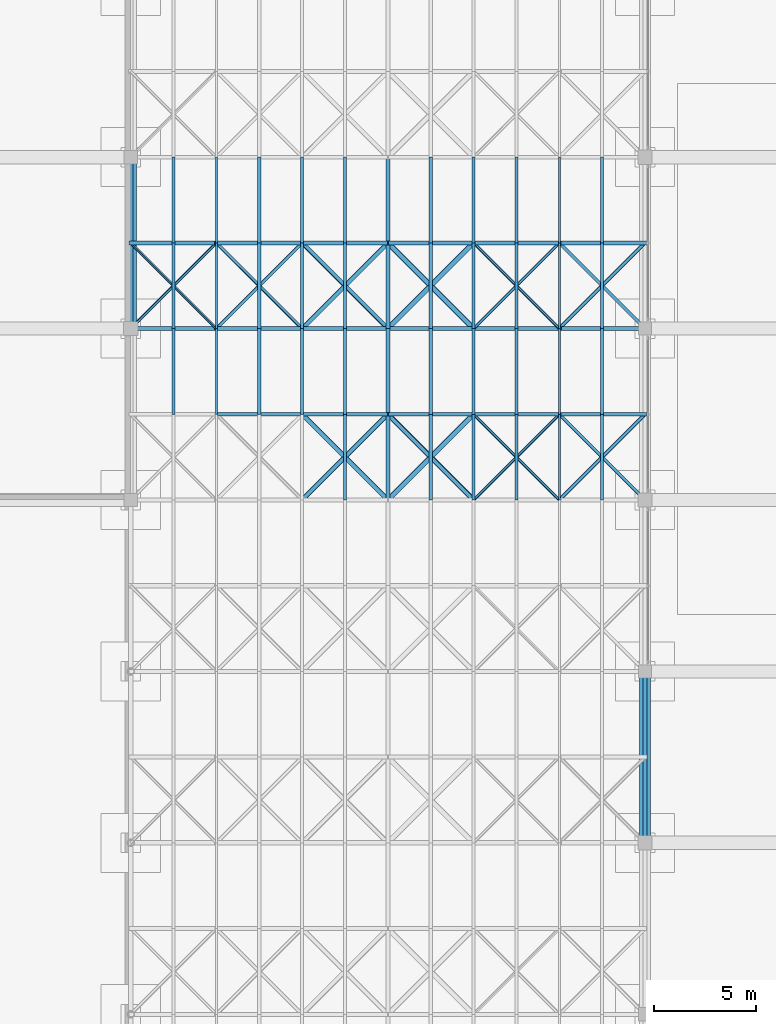
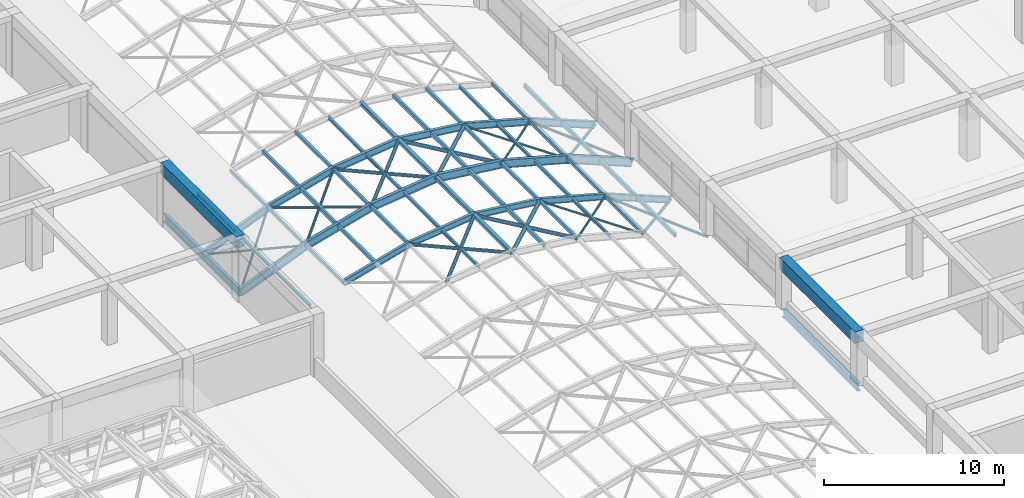
# One storey, part 28 of 85: 77 members, 4 beams.
"""IFC4 building model written with IfcOpenShell, lengths in metres."""

from ifc_helpers import new_model, si_unit, direction, frame, origin, origin_2d, place, context, subcontext, project, spatial, rectangle, hollow_rectangle, hollow_circle, i_section, extrude, material, material_profile, profile_set, type_object, element, save


model = new_model("IFC4")

# Units and contexts
model_context = context("Model", 3, precision=1e-05, world=origin(), true_north=direction((0.0, 1.0)))
body_context = subcontext(model_context, "Body", "Model", "MODEL_VIEW")
ifc_project = project(units=[si_unit("LENGTHUNIT", "METRE"), si_unit("AREAUNIT", "SQUARE_METRE"), si_unit("VOLUMEUNIT", "CUBIC_METRE"), si_unit("PLANEANGLEUNIT", "RADIAN"), si_unit("MASSUNIT", "GRAM", prefix="KILO")], contexts=[model_context])

# Site, building, storey
site_placement = place(None, origin())
site = spatial("IfcSite", under=ifc_project, at=site_placement, CompositionType="ELEMENT")
building_placement = place(site_placement, origin())
building = spatial("IfcBuilding", under=site, at=building_placement, Name="Almacenes y Pasaje Nevantli", CompositionType="ELEMENT")
storey_placement = place(building_placement, frame((0.0, 0.0, 22.199951171875)))
storey = spatial("IfcBuildingStorey", under=building, at=storey_placement, Name="L05", CompositionType="ELEMENT", Elevation=22.199951171875)

# Beams
ifc_material_1 = material(Name="Concrete C35/45", Category="concrete")
ifc_material_profile_1 = material_profile(ifc_material_1, rectangle(XDim=0.550048828125, YDim=0.800048828125, at=origin_2d()), Name="RC-BM-550x800")
ifc_profile_set_1 = profile_set([ifc_material_profile_1], Name="Concrete C35/45")
beam_type_1 = type_object("IfcBeamType", Name="BM-RC-550x800", PredefinedType="BEAM", material=ifc_profile_set_1)
for number, where, z_axis, x_axis, name in (
    (1, (67.199951171875, 84.0, 3.820068359375), (0.0, 1.0, 0.0), (-1.0, 0.0, 0.0), "L05 North-South Reinforced Concrete Beam #3460"),
    (2, (92.39990234375, 58.800048828125, 3.820068359375), (0.0, 1.0, 0.0), (-1.0, 0.0, 0.0), "L05 North-South Reinforced Concrete Beam #3471"),
):
    element("IfcBeam", number, at=place(storey_placement, frame(where, z_axis=z_axis, x_axis=x_axis)), inside=storey, type_object=beam_type_1, Name=name, PredefinedType="BEAM", context=body_context, shape_type="SweptSolid", body=[
        extrude(rectangle(XDim=0.550048828125, YDim=0.800048828125, at=origin_2d()), origin(), (0.0, 0.0, 1.0), 8.39990234375),
    ])
ifc_material_2 = material(Name="Steel ASTM A992", Category="steel")
ifc_material_profile_2 = material_profile(ifc_material_2, i_section(OverallWidth=0.208984375, OverallDepth=0.532958984375, WebThickness=0.01025390625, FlangeThickness=0.015625, at=origin_2d()), Name="IR 533x92.5")
ifc_profile_set_2 = profile_set([ifc_material_profile_2], Name="Steel ASTM A992")
beam_type_2 = type_object("IfcBeamType", Name="BM-STL-IR-533x92p5", PredefinedType="BEAM", material=ifc_profile_set_2)
for number, where, z_axis, x_axis, name in (
    (3, (67.199951171875, 84.0, 0.400146484375), (0.0, 1.0, 0.0), (-1.0, 0.0, 0.0), "L05 Arcade Barrel Vault Eave Steel Girder #1.11"),
    (4, (92.39990234375, 58.800048828125, 0.400146484375), (0.0, 1.0, 0.0), (-1.0, 0.0, 0.0), "L05 Arcade Barrel Vault Eave Steel Girder #2.8"),
):
    element("IfcBeam", number, at=place(storey_placement, frame(where, z_axis=z_axis, x_axis=x_axis)), inside=storey, type_object=beam_type_2, Name=name, PredefinedType="BEAM", context=body_context, shape_type="SweptSolid", body=[
        extrude(i_section(OverallWidth=0.208984375, OverallDepth=0.532958984375, WebThickness=0.01025390625, FlangeThickness=0.015625, at=origin_2d()), origin(), (0.0, 0.0, 1.0), 8.39990234375),
    ])

# Members
ifc_material_3 = material(Name="Steel ASTM A992", Category="steel")
ifc_material_profile_3 = material_profile(ifc_material_3, i_section(OverallWidth=0.180908203125, OverallDepth=0.406005859375, WebThickness=0.010986328125, FlangeThickness=0.018310546875, at=origin_2d()), Name="IR 406x85.0")
ifc_profile_set_3 = profile_set([ifc_material_profile_3], Name="Steel ASTM A992")
member_type_1 = type_object("IfcMemberType", Name="MBR-ARCH-IR406x85", PredefinedType="USERDEFINED", material=ifc_profile_set_3)
member_1_placement = place(storey_placement, frame((71.39990234375, 79.800048828125, 2.10009765625), z_axis=(0.964507199401, 0.0, 0.264056551336), x_axis=(0.0, 1.0, 0.0)))
element("IfcMember", 5, at=member_1_placement, inside=storey, type_object=member_type_1, Name="Arcade Barrel Vault Steel Arch Rib 20.2", ObjectType="ARCH RIB", PredefinedType="USERDEFINED", context=body_context, shape_type="SweptSolid", body=[
    extrude(i_section(OverallWidth=0.180908203125, OverallDepth=0.406005859375, WebThickness=0.010986328125, FlangeThickness=0.018310546875, at=origin_2d()), origin(), (0.0, 0.0, 1.0), 4.354736328125),
])
for number, where, z_axis, x_axis, name in (
    (6, (75.60009765625, 79.800048828125, 3.25), (0.99298811287, 0.0, 0.118214244908), (0.0, 1.0, 0.0), "Arcade Barrel Vault Steel Arch Rib 20.3"),
    (7, (79.800048828125, 79.800048828125, 3.75), (0.99298811287, 0.0, -0.118214244908), (0.0, 1.0, 0.0), "Arcade Barrel Vault Steel Arch Rib 20.4"),
):
    element("IfcMember", number, at=place(storey_placement, frame(where, z_axis=z_axis, x_axis=x_axis)), inside=storey, type_object=member_type_1, Name=name, ObjectType="ARCH RIB", PredefinedType="USERDEFINED", context=body_context, shape_type="SweptSolid", body=[
        extrude(i_section(OverallWidth=0.180908203125, OverallDepth=0.406005859375, WebThickness=0.010986328125, FlangeThickness=0.018310546875, at=origin_2d()), origin(), (0.0, 0.0, 1.0), 4.2294921875),
    ])
member_2_placement = place(storey_placement, frame((84.0, 79.800048828125, 3.25), z_axis=(0.964503290046, 0.0, -0.264070830443), x_axis=(0.0, 1.0, 0.0)))
element("IfcMember", 8, at=member_2_placement, inside=storey, type_object=member_type_1, Name="Arcade Barrel Vault Steel Arch Rib 20.5", ObjectType="ARCH RIB", PredefinedType="USERDEFINED", context=body_context, shape_type="SweptSolid", body=[
    extrude(i_section(OverallWidth=0.180908203125, OverallDepth=0.406005859375, WebThickness=0.010986328125, FlangeThickness=0.018310546875, at=origin_2d()), origin(), (0.0, 0.0, 1.0), 4.3544921875),
])
member_3_placement = place(storey_placement, frame((88.199951171875, 79.800048828125, 2.10009765625), z_axis=(0.926949044115, 0.0, -0.375187246072), x_axis=(0.0, 1.0, 0.0)))
element("IfcMember", 9, at=member_3_placement, inside=storey, type_object=member_type_1, Name="Arcade Barrel Vault Steel Arch Rib 20.6", ObjectType="ARCH RIB", PredefinedType="USERDEFINED", context=body_context, shape_type="SweptSolid", body=[
    extrude(i_section(OverallWidth=0.180908203125, OverallDepth=0.406005859375, WebThickness=0.010986328125, FlangeThickness=0.018310546875, at=origin_2d()), origin(), (0.0, 0.0, 1.0), 4.531005859375),
])
ifc_material_4 = material(Name="Steel ASTM A992", Category="steel")
ifc_material_profile_4 = material_profile(ifc_material_4, i_section(OverallWidth=0.193115234375, OverallDepth=0.4599609375, WebThickness=0.011474609375, FlangeThickness=0.01904296875, at=origin_2d()), Name="IR 457x96.7")
ifc_profile_set_4 = profile_set([ifc_material_profile_4], Name="Steel ASTM A992")
member_type_2 = type_object("IfcMemberType", Name="MBR-ARCH-IR457x96", PredefinedType="USERDEFINED", material=ifc_profile_set_4)
member_4_placement = place(storey_placement, frame((67.199951171875, 88.199951171875, 0.400146484375), z_axis=(0.926949044115, 0.0, 0.375187246072), x_axis=(0.0, 1.0, 0.0)))
element("IfcMember", 10, at=member_4_placement, inside=storey, type_object=member_type_2, Name="Arcade Barrel Vault Steel Arch Rib 22.1", ObjectType="ARCH RIB", PredefinedType="USERDEFINED", context=body_context, shape_type="SweptSolid", body=[
    extrude(i_section(OverallWidth=0.193115234375, OverallDepth=0.4599609375, WebThickness=0.011474609375, FlangeThickness=0.01904296875, at=origin_2d()), origin(), (0.0, 0.0, 1.0), 4.531005859375),
])
member_5_placement = place(storey_placement, frame((71.39990234375, 88.199951171875, 2.10009765625), z_axis=(0.964507199401, 0.0, 0.264056551336), x_axis=(0.0, 1.0, 0.0)))
element("IfcMember", 11, at=member_5_placement, inside=storey, type_object=member_type_2, Name="Arcade Barrel Vault Steel Arch Rib 22.2", ObjectType="ARCH RIB", PredefinedType="USERDEFINED", context=body_context, shape_type="SweptSolid", body=[
    extrude(i_section(OverallWidth=0.193115234375, OverallDepth=0.4599609375, WebThickness=0.011474609375, FlangeThickness=0.01904296875, at=origin_2d()), origin(), (0.0, 0.0, 1.0), 4.354736328125),
])
for number, where, z_axis, x_axis, name in (
    (12, (75.60009765625, 88.199951171875, 3.25), (0.99298811287, 0.0, 0.118214244908), (0.0, 1.0, 0.0), "Arcade Barrel Vault Steel Arch Rib 22.3"),
    (13, (79.800048828125, 88.199951171875, 3.75), (0.99298811287, 0.0, -0.118214244908), (0.0, 1.0, 0.0), "Arcade Barrel Vault Steel Arch Rib 22.4"),
):
    element("IfcMember", number, at=place(storey_placement, frame(where, z_axis=z_axis, x_axis=x_axis)), inside=storey, type_object=member_type_2, Name=name, ObjectType="ARCH RIB", PredefinedType="USERDEFINED", context=body_context, shape_type="SweptSolid", body=[
        extrude(i_section(OverallWidth=0.193115234375, OverallDepth=0.4599609375, WebThickness=0.011474609375, FlangeThickness=0.01904296875, at=origin_2d()), origin(), (0.0, 0.0, 1.0), 4.2294921875),
    ])
member_6_placement = place(storey_placement, frame((84.0, 88.199951171875, 3.25), z_axis=(0.964503290046, 0.0, -0.264070830443), x_axis=(0.0, 1.0, 0.0)))
element("IfcMember", 14, at=member_6_placement, inside=storey, type_object=member_type_2, Name="Arcade Barrel Vault Steel Arch Rib 22.5", ObjectType="ARCH RIB", PredefinedType="USERDEFINED", context=body_context, shape_type="SweptSolid", body=[
    extrude(i_section(OverallWidth=0.193115234375, OverallDepth=0.4599609375, WebThickness=0.011474609375, FlangeThickness=0.01904296875, at=origin_2d()), origin(), (0.0, 0.0, 1.0), 4.3544921875),
])
member_7_placement = place(storey_placement, frame((88.199951171875, 88.199951171875, 2.10009765625), z_axis=(0.926949044115, 0.0, -0.375187246072), x_axis=(0.0, 1.0, 0.0)))
element("IfcMember", 15, at=member_7_placement, inside=storey, type_object=member_type_2, Name="Arcade Barrel Vault Steel Arch Rib 22.6", ObjectType="ARCH RIB", PredefinedType="USERDEFINED", context=body_context, shape_type="SweptSolid", body=[
    extrude(i_section(OverallWidth=0.193115234375, OverallDepth=0.4599609375, WebThickness=0.011474609375, FlangeThickness=0.01904296875, at=origin_2d()), origin(), (0.0, 0.0, 1.0), 4.531005859375),
])
ifc_material_5 = material(Name="Steel ASTM A992", Category="steel")
ifc_material_profile_5 = material_profile(ifc_material_5, i_section(OverallWidth=0.208984375, OverallDepth=0.532958984375, WebThickness=0.01025390625, FlangeThickness=0.015625, at=origin_2d()), Name="IR 533x92.5")
ifc_profile_set_5 = profile_set([ifc_material_profile_5], Name="Steel ASTM A992")
member_type_3 = type_object("IfcMemberType", Name="MBR-ARCH-IR533x92", PredefinedType="USERDEFINED", material=ifc_profile_set_5)
member_8_placement = place(storey_placement, frame((67.199951171875, 84.0, 0.400146484375), z_axis=(0.926949044115, 0.0, 0.375187246072), x_axis=(0.0, 1.0, 0.0)))
element("IfcMember", 16, at=member_8_placement, inside=storey, type_object=member_type_3, Name="Arcade Barrel Vault Steel Arch Rib 21.1", ObjectType="ARCH RIB", PredefinedType="USERDEFINED", context=body_context, shape_type="SweptSolid", body=[
    extrude(i_section(OverallWidth=0.208984375, OverallDepth=0.532958984375, WebThickness=0.01025390625, FlangeThickness=0.015625, at=origin_2d()), origin(), (0.0, 0.0, 1.0), 4.531005859375),
])
member_9_placement = place(storey_placement, frame((71.39990234375, 84.0, 2.10009765625), z_axis=(0.964507199401, 0.0, 0.264056551336), x_axis=(0.0, 1.0, 0.0)))
element("IfcMember", 17, at=member_9_placement, inside=storey, type_object=member_type_3, Name="Arcade Barrel Vault Steel Arch Rib 21.2", ObjectType="ARCH RIB", PredefinedType="USERDEFINED", context=body_context, shape_type="SweptSolid", body=[
    extrude(i_section(OverallWidth=0.208984375, OverallDepth=0.532958984375, WebThickness=0.01025390625, FlangeThickness=0.015625, at=origin_2d()), origin(), (0.0, 0.0, 1.0), 4.354736328125),
])
for number, where, z_axis, x_axis, name in (
    (18, (75.60009765625, 84.0, 3.25), (0.99298811287, 0.0, 0.118214244908), (0.0, 1.0, 0.0), "Arcade Barrel Vault Steel Arch Rib 21.3"),
    (19, (79.800048828125, 84.0, 3.75), (0.99298811287, 0.0, -0.118214244908), (0.0, 1.0, 0.0), "Arcade Barrel Vault Steel Arch Rib 21.4"),
):
    element("IfcMember", number, at=place(storey_placement, frame(where, z_axis=z_axis, x_axis=x_axis)), inside=storey, type_object=member_type_3, Name=name, ObjectType="ARCH RIB", PredefinedType="USERDEFINED", context=body_context, shape_type="SweptSolid", body=[
        extrude(i_section(OverallWidth=0.208984375, OverallDepth=0.532958984375, WebThickness=0.01025390625, FlangeThickness=0.015625, at=origin_2d()), origin(), (0.0, 0.0, 1.0), 4.2294921875),
    ])
member_10_placement = place(storey_placement, frame((84.0, 84.0, 3.25), z_axis=(0.964503290046, 0.0, -0.264070830443), x_axis=(0.0, 1.0, 0.0)))
element("IfcMember", 20, at=member_10_placement, inside=storey, type_object=member_type_3, Name="Arcade Barrel Vault Steel Arch Rib 21.5", ObjectType="ARCH RIB", PredefinedType="USERDEFINED", context=body_context, shape_type="SweptSolid", body=[
    extrude(i_section(OverallWidth=0.208984375, OverallDepth=0.532958984375, WebThickness=0.01025390625, FlangeThickness=0.015625, at=origin_2d()), origin(), (0.0, 0.0, 1.0), 4.3544921875),
])
member_11_placement = place(storey_placement, frame((88.199951171875, 84.0, 2.10009765625), z_axis=(0.926949044115, 0.0, -0.375187246072), x_axis=(0.0, 1.0, 0.0)))
element("IfcMember", 21, at=member_11_placement, inside=storey, type_object=member_type_3, Name="Arcade Barrel Vault Steel Arch Rib 21.6", ObjectType="ARCH RIB", PredefinedType="USERDEFINED", context=body_context, shape_type="SweptSolid", body=[
    extrude(i_section(OverallWidth=0.208984375, OverallDepth=0.532958984375, WebThickness=0.01025390625, FlangeThickness=0.015625, at=origin_2d()), origin(), (0.0, 0.0, 1.0), 4.531005859375),
])
ifc_material_6 = material(Name="Steel ASTM A500 Grade C", Category="steel")
ifc_material_profile_6 = material_profile(ifc_material_6, hollow_circle(Radius=0.070556640625, WallThickness=0.006591796875, at=origin_2d()), Name="OC 141x6.6")
ifc_profile_set_6 = profile_set([ifc_material_profile_6], Name="Steel ASTM A500 Grade C")
member_type_4 = type_object("IfcMemberType", Name="MBR-BRC-OC141", PredefinedType="BRACE", material=ifc_profile_set_6)
for number, where, z_axis, x_axis, name in (
    (22, (84.0, 75.60009765625, 3.25), (0.694216714393, 0.694216714393, -0.190069216113), (-0.707106781187, 0.707106781187, 0.0), "Arcade Barrel Vault Wind Brace 19.5A"),
    (23, (88.199951171875, 75.60009765625, 2.10009765625), (-0.694216714393, 0.694216714393, 0.190069216113), (-0.707106781187, -0.707106781187, 0.0), "Arcade Barrel Vault Wind Brace 19.5B"),
):
    element("IfcMember", number, at=place(storey_placement, frame(where, z_axis=z_axis, x_axis=x_axis)), inside=storey, type_object=member_type_4, Name=name, PredefinedType="BRACE", context=body_context, shape_type="SweptSolid", body=[
        extrude(hollow_circle(Radius=0.070556640625, WallThickness=0.006591796875, at=origin_2d()), origin(), (0.0, 0.0, 1.0), 6.0498046875),
    ])
for number, where, z_axis, x_axis, name in (
    (24, (67.199951171875, 84.0, 0.400146484375), (0.679811915702, 0.679811915702, 0.275157261468), (-0.707106781187, 0.707106781187, 0.0), "Arcade Barrel Vault Wind Brace 21.1A"),
    (25, (71.39990234375, 84.0, 2.10009765625), (-0.679811915702, 0.679811915702, -0.275157261468), (-0.707106781187, -0.707106781187, 0.0), "Arcade Barrel Vault Wind Brace 21.1B"),
):
    element("IfcMember", number, at=place(storey_placement, frame(where, z_axis=z_axis, x_axis=x_axis)), inside=storey, type_object=member_type_4, Name=name, PredefinedType="BRACE", context=body_context, shape_type="SweptSolid", body=[
        extrude(hollow_circle(Radius=0.070556640625, WallThickness=0.006591796875, at=origin_2d()), origin(), (0.0, 0.0, 1.0), 6.17822265625),
    ])
for number, where, z_axis, x_axis, name in (
    (26, (84.0, 84.0, 3.25), (0.694216714393, 0.694216714393, -0.190069216113), (-0.707106781187, 0.707106781187, 0.0), "Arcade Barrel Vault Wind Brace 21.5A"),
    (27, (88.199951171875, 84.0, 2.10009765625), (-0.694216714393, 0.694216714393, 0.190069216113), (-0.707106781187, -0.707106781187, 0.0), "Arcade Barrel Vault Wind Brace 21.5B"),
):
    element("IfcMember", number, at=place(storey_placement, frame(where, z_axis=z_axis, x_axis=x_axis)), inside=storey, type_object=member_type_4, Name=name, PredefinedType="BRACE", context=body_context, shape_type="SweptSolid", body=[
        extrude(hollow_circle(Radius=0.070556640625, WallThickness=0.006591796875, at=origin_2d()), origin(), (0.0, 0.0, 1.0), 6.0498046875),
    ])
ifc_material_7 = material(Name="Steel ASTM A500 Grade C", Category="steel")
ifc_material_profile_7 = material_profile(ifc_material_7, hollow_circle(Radius=0.084228515625, WallThickness=0.007080078125, at=origin_2d()), Name="OC 168x7.1")
ifc_profile_set_7 = profile_set([ifc_material_profile_7], Name="Steel ASTM A500 Grade C")
member_type_5 = type_object("IfcMemberType", Name="MBR-BRC-OC168", PredefinedType="BRACE", material=ifc_profile_set_7)
for number, where, z_axis, x_axis, name in (
    (28, (88.199951171875, 75.60009765625, 2.10009765625), (0.679811915702, 0.679811915702, -0.275157261468), (-0.707106781187, 0.707106781187, 0.0), "Arcade Barrel Vault Wind Brace 19.6A"),
    (29, (92.39990234375, 75.60009765625, 0.400146484375), (-0.679811915702, 0.679811915702, 0.275157261468), (-0.707106781187, -0.707106781187, 0.0), "Arcade Barrel Vault Wind Brace 19.6B"),
):
    element("IfcMember", number, at=place(storey_placement, frame(where, z_axis=z_axis, x_axis=x_axis)), inside=storey, type_object=member_type_5, Name=name, PredefinedType="BRACE", context=body_context, shape_type="SweptSolid", body=[
        extrude(hollow_circle(Radius=0.084228515625, WallThickness=0.007080078125, at=origin_2d()), origin(), (0.0, 0.0, 1.0), 6.17822265625),
    ])
for number, where, z_axis, x_axis, name in (
    (30, (71.39990234375, 84.0, 2.10009765625), (0.694237619642, 0.694197266374, 0.19006389145), (-0.70708622964, 0.707127332136, 0.0), "Arcade Barrel Vault Wind Brace 21.2A"),
    (31, (75.60009765625, 84.0, 3.25), (-0.694237619642, 0.694197266374, -0.19006389145), (-0.70708622964, -0.707127332136, 0.0), "Arcade Barrel Vault Wind Brace 21.2B"),
):
    element("IfcMember", number, at=place(storey_placement, frame(where, z_axis=z_axis, x_axis=x_axis)), inside=storey, type_object=member_type_5, Name=name, PredefinedType="BRACE", context=body_context, shape_type="SweptSolid", body=[
        extrude(hollow_circle(Radius=0.084228515625, WallThickness=0.007080078125, at=origin_2d()), origin(), (0.0, 0.0, 1.0), 6.050048828125),
    ])
for number, where, z_axis, x_axis, name in (
    (32, (88.199951171875, 84.0, 2.10009765625), (0.679811915702, 0.679811915702, -0.275157261468), (-0.707106781187, 0.707106781187, 0.0), "Arcade Barrel Vault Wind Brace 21.6A"),
    (33, (92.39990234375, 84.0, 0.400146484375), (-0.679811915702, 0.679811915702, 0.275157261468), (-0.707106781187, -0.707106781187, 0.0), "Arcade Barrel Vault Wind Brace 21.6B"),
):
    element("IfcMember", number, at=place(storey_placement, frame(where, z_axis=z_axis, x_axis=x_axis)), inside=storey, type_object=member_type_5, Name=name, PredefinedType="BRACE", context=body_context, shape_type="SweptSolid", body=[
        extrude(hollow_circle(Radius=0.084228515625, WallThickness=0.007080078125, at=origin_2d()), origin(), (0.0, 0.0, 1.0), 6.17822265625),
    ])
ifc_material_8 = material(Name="Steel ASTM A500 Grade C", Category="steel")
ifc_material_profile_8 = material_profile(ifc_material_8, hollow_circle(Radius=0.109619140625, WallThickness=0.00830078125, at=origin_2d()), Name="OC 219x8.2")
ifc_profile_set_8 = profile_set([ifc_material_profile_8], Name="Steel ASTM A500 Grade C")
member_type_6 = type_object("IfcMemberType", Name="MBR-BRC-OC219", PredefinedType="BRACE", material=ifc_profile_set_8)
for number, where, z_axis, x_axis, name in (
    (34, (75.60009765625, 75.60009765625, 3.25), (0.70461462169, 0.70461462169, 0.083883668268), (-0.707106781187, 0.707106781187, 0.0), "Arcade Barrel Vault Wind Brace 19.3A"),
    (35, (79.800048828125, 75.60009765625, 3.75), (-0.70461462169, 0.70461462169, -0.083883668268), (-0.707106781187, -0.707106781187, 0.0), "Arcade Barrel Vault Wind Brace 19.3B"),
    (36, (75.60009765625, 84.0, 3.25), (0.70461462169, 0.70461462169, 0.083883668268), (-0.707106781187, 0.707106781187, 0.0), "Arcade Barrel Vault Wind Brace 21.3A"),
    (37, (79.800048828125, 84.0, 3.75), (-0.70461462169, 0.70461462169, -0.083883668268), (-0.707106781187, -0.707106781187, 0.0), "Arcade Barrel Vault Wind Brace 21.3B"),
):
    element("IfcMember", number, at=place(storey_placement, frame(where, z_axis=z_axis, x_axis=x_axis)), inside=storey, type_object=member_type_6, Name=name, PredefinedType="BRACE", context=body_context, shape_type="SweptSolid", body=[
        extrude(hollow_circle(Radius=0.109619140625, WallThickness=0.00830078125, at=origin_2d()), origin(), (0.0, 0.0, 1.0), 5.960693359375),
    ])
ifc_material_9 = material(Name="Steel ASTM A500 Grade C", Category="steel")
ifc_material_profile_9 = material_profile(ifc_material_9, hollow_circle(Radius=0.122314453125, WallThickness=0.0087890625, at=origin_2d()), Name="OC 244x8.9")
ifc_profile_set_9 = profile_set([ifc_material_profile_9], Name="Steel ASTM A500 Grade C")
member_type_7 = type_object("IfcMemberType", Name="MBR-BRC-OC244", PredefinedType="BRACE", material=ifc_profile_set_9)
for number, where, z_axis, x_axis, name in (
    (38, (79.800048828125, 75.60009765625, 3.75), (0.70461462169, 0.70461462169, -0.083883668268), (-0.707106781187, 0.707106781187, 0.0), "Arcade Barrel Vault Wind Brace 19.4A"),
    (39, (84.0, 75.60009765625, 3.25), (-0.70461462169, 0.70461462169, 0.083883668268), (-0.707106781187, -0.707106781187, 0.0), "Arcade Barrel Vault Wind Brace 19.4B"),
    (40, (79.800048828125, 84.0, 3.75), (0.70461462169, 0.70461462169, -0.083883668268), (-0.707106781187, 0.707106781187, 0.0), "Arcade Barrel Vault Wind Brace 21.4A"),
    (41, (84.0, 84.0, 3.25), (-0.70461462169, 0.70461462169, 0.083883668268), (-0.707106781187, -0.707106781187, 0.0), "Arcade Barrel Vault Wind Brace 21.4B"),
):
    element("IfcMember", number, at=place(storey_placement, frame(where, z_axis=z_axis, x_axis=x_axis)), inside=storey, type_object=member_type_7, Name=name, PredefinedType="BRACE", context=body_context, shape_type="SweptSolid", body=[
        extrude(hollow_circle(Radius=0.122314453125, WallThickness=0.0087890625, at=origin_2d()), origin(), (0.0, 0.0, 1.0), 5.960693359375),
    ])
ifc_material_10 = material(Name="Steel ASTM A992", Category="steel")
ifc_material_profile_10 = material_profile(ifc_material_10, i_section(OverallWidth=0.134033203125, OverallDepth=0.2099609375, WebThickness=0.00634765625, FlangeThickness=0.01025390625, at=origin_2d()), Name="IR 203x31.3")
ifc_profile_set_10 = profile_set([ifc_material_profile_10], Name="Steel ASTM A992")
member_type_8 = type_object("IfcMemberType", Name="MBR-PUR-IR203x31", PredefinedType="PURLIN", material=ifc_profile_set_10)
for number, where, z_axis, x_axis, name in (
    (42, (77.699951171875, 75.60009765625, 3.5), (0.0, 1.0, 0.0), (-1.0, 0.0, 0.0), "Arcade Barrel Vault Secondary Steel Purlin #206"),
    (43, (86.10009765625, 75.60009765625, 2.675048828125), (0.0, 1.0, 0.0), (-1.0, 0.0, 0.0), "Arcade Barrel Vault Secondary Steel Purlin #208"),
    (44, (69.300048828125, 79.800048828125, 1.25), (0.0, 1.0, 0.0), (-1.0, 0.0, 0.0), "Arcade Barrel Vault Secondary Steel Purlin #215"),
    (45, (77.699951171875, 79.800048828125, 3.5), (0.0, 1.0, 0.0), (-1.0, 0.0, 0.0), "Arcade Barrel Vault Secondary Steel Purlin #217"),
    (46, (86.10009765625, 79.800048828125, 2.675048828125), (0.0, 1.0, 0.0), (-1.0, 0.0, 0.0), "Arcade Barrel Vault Secondary Steel Purlin #219"),
    (47, (69.300048828125, 84.0, 1.25), (0.0, 1.0, 0.0), (-1.0, 0.0, 0.0), "Arcade Barrel Vault Secondary Steel Purlin #226"),
    (48, (77.699951171875, 84.0, 3.5), (0.0, 1.0, 0.0), (-1.0, 0.0, 0.0), "Arcade Barrel Vault Secondary Steel Purlin #228"),
    (49, (86.10009765625, 84.0, 2.675048828125), (0.0, 1.0, 0.0), (-1.0, 0.0, 0.0), "Arcade Barrel Vault Secondary Steel Purlin #230"),
    (50, (69.300048828125, 88.199951171875, 1.25), (0.0, 1.0, 0.0), (-1.0, 0.0, 0.0), "Arcade Barrel Vault Secondary Steel Purlin #237"),
    (51, (77.699951171875, 88.199951171875, 3.5), (0.0, 1.0, 0.0), (-1.0, 0.0, 0.0), "Arcade Barrel Vault Secondary Steel Purlin #239"),
    (52, (86.10009765625, 88.199951171875, 2.675048828125), (0.0, 1.0, 0.0), (-1.0, 0.0, 0.0), "Arcade Barrel Vault Secondary Steel Purlin #241"),
):
    element("IfcMember", number, at=place(storey_placement, frame(where, z_axis=z_axis, x_axis=x_axis)), inside=storey, type_object=member_type_8, Name=name, PredefinedType="PURLIN", context=body_context, shape_type="SweptSolid", body=[
        extrude(i_section(OverallWidth=0.134033203125, OverallDepth=0.2099609375, WebThickness=0.00634765625, FlangeThickness=0.01025390625, at=origin_2d()), origin(), (0.0, 0.0, 1.0), 4.199951171875),
    ])
ifc_material_11 = material(Name="Steel ASTM A992", Category="steel")
ifc_material_profile_11 = material_profile(ifc_material_11, i_section(OverallWidth=0.202880859375, OverallDepth=0.25390625, WebThickness=0.00732421875, FlangeThickness=0.010986328125, at=origin_2d()), Name="IR 254x49.1")
ifc_profile_set_11 = profile_set([ifc_material_profile_11], Name="Steel ASTM A992")
member_type_9 = type_object("IfcMemberType", Name="MBR-PUR-IR254x49", PredefinedType="PURLIN", material=ifc_profile_set_11)
for number, where, z_axis, x_axis, name in (
    (53, (79.800048828125, 75.60009765625, 3.75), (0.0, 1.0, 0.0), (-1.0, 0.0, 0.0), "Arcade Barrel Vault Steel Purlin #201"),
    (54, (79.800048828125, 79.800048828125, 3.75), (0.0, 1.0, 0.0), (-1.0, 0.0, 0.0), "Arcade Barrel Vault Steel Purlin #212"),
    (55, (79.800048828125, 84.0, 3.75), (0.0, 1.0, 0.0), (-1.0, 0.0, 0.0), "Arcade Barrel Vault Steel Purlin #223"),
    (56, (79.800048828125, 88.199951171875, 3.75), (0.0, 1.0, 0.0), (-1.0, 0.0, 0.0), "Arcade Barrel Vault Steel Purlin #234"),
):
    element("IfcMember", number, at=place(storey_placement, frame(where, z_axis=z_axis, x_axis=x_axis)), inside=storey, type_object=member_type_9, Name=name, PredefinedType="PURLIN", context=body_context, shape_type="SweptSolid", body=[
        extrude(i_section(OverallWidth=0.202880859375, OverallDepth=0.25390625, WebThickness=0.00732421875, FlangeThickness=0.010986328125, at=origin_2d()), origin(), (0.0, 0.0, 1.0), 4.199951171875),
    ])
ifc_material_12 = material(Name="Steel ASTM A500 Grade C", Category="steel")
ifc_material_profile_12 = material_profile(ifc_material_12, hollow_rectangle(XDim=0.1015625, YDim=0.203125, WallThickness=0.0078125, at=origin_2d()), Name="OR 203x102x7.9")
ifc_profile_set_12 = profile_set([ifc_material_profile_12], Name="Steel ASTM A500 Grade C")
member_type_10 = type_object("IfcMemberType", Name="MBR-PUR-OR203x102", PredefinedType="PURLIN", material=ifc_profile_set_12)
for number, where, z_axis, x_axis, name in (
    (57, (88.199951171875, 75.60009765625, 2.10009765625), (0.0, 1.0, 0.0), (-1.0, 0.0, 0.0), "Arcade Barrel Vault Steel Purlin #203"),
    (58, (71.39990234375, 79.800048828125, 2.10009765625), (0.0, 1.0, 0.0), (-1.0, 0.0, 0.0), "Arcade Barrel Vault Steel Purlin #210"),
    (59, (88.199951171875, 79.800048828125, 2.10009765625), (0.0, 1.0, 0.0), (-1.0, 0.0, 0.0), "Arcade Barrel Vault Steel Purlin #214"),
    (60, (71.39990234375, 84.0, 2.10009765625), (0.0, 1.0, 0.0), (-1.0, 0.0, 0.0), "Arcade Barrel Vault Steel Purlin #221"),
    (61, (88.199951171875, 84.0, 2.10009765625), (0.0, 1.0, 0.0), (-1.0, 0.0, 0.0), "Arcade Barrel Vault Steel Purlin #225"),
    (62, (71.39990234375, 88.199951171875, 2.10009765625), (0.0, 1.0, 0.0), (-1.0, 0.0, 0.0), "Arcade Barrel Vault Steel Purlin #232"),
    (63, (88.199951171875, 88.199951171875, 2.10009765625), (0.0, 1.0, 0.0), (-1.0, 0.0, 0.0), "Arcade Barrel Vault Steel Purlin #236"),
):
    element("IfcMember", number, at=place(storey_placement, frame(where, z_axis=z_axis, x_axis=x_axis)), inside=storey, type_object=member_type_10, Name=name, PredefinedType="PURLIN", context=body_context, shape_type="SweptSolid", body=[
        extrude(hollow_rectangle(XDim=0.1015625, YDim=0.203125, WallThickness=0.0078125, at=origin_2d()), origin(), (0.0, 0.0, 1.0), 4.199951171875),
    ])
ifc_material_13 = material(Name="Steel ASTM A500 Grade C", Category="steel")
ifc_material_profile_13 = material_profile(ifc_material_13, hollow_rectangle(XDim=0.15234375, YDim=0.203125, WallThickness=0.0078125, at=origin_2d()), Name="OR 203x152x7.9")
ifc_profile_set_13 = profile_set([ifc_material_profile_13], Name="Steel ASTM A500 Grade C")
member_type_11 = type_object("IfcMemberType", Name="MBR-PUR-OR203x152", PredefinedType="PURLIN", material=ifc_profile_set_13)
for number, where, z_axis, x_axis, name in (
    (64, (84.0, 75.60009765625, 3.25), (0.0, 1.0, 0.0), (-1.0, 0.0, 0.0), "Arcade Barrel Vault Steel Purlin #202"),
    (65, (75.60009765625, 79.800048828125, 3.25), (0.0, 1.0, 0.0), (-1.0, 0.0, 0.0), "Arcade Barrel Vault Steel Purlin #211"),
    (66, (84.0, 79.800048828125, 3.25), (0.0, 1.0, 0.0), (-1.0, 0.0, 0.0), "Arcade Barrel Vault Steel Purlin #213"),
    (67, (75.60009765625, 84.0, 3.25), (0.0, 1.0, 0.0), (-1.0, 0.0, 0.0), "Arcade Barrel Vault Steel Purlin #222"),
    (68, (84.0, 84.0, 3.25), (0.0, 1.0, 0.0), (-1.0, 0.0, 0.0), "Arcade Barrel Vault Steel Purlin #224"),
    (69, (75.60009765625, 88.199951171875, 3.25), (0.0, 1.0, 0.0), (-1.0, 0.0, 0.0), "Arcade Barrel Vault Steel Purlin #233"),
    (70, (84.0, 88.199951171875, 3.25), (0.0, 1.0, 0.0), (-1.0, 0.0, 0.0), "Arcade Barrel Vault Steel Purlin #235"),
):
    element("IfcMember", number, at=place(storey_placement, frame(where, z_axis=z_axis, x_axis=x_axis)), inside=storey, type_object=member_type_11, Name=name, PredefinedType="PURLIN", context=body_context, shape_type="SweptSolid", body=[
        extrude(hollow_rectangle(XDim=0.15234375, YDim=0.203125, WallThickness=0.0078125, at=origin_2d()), origin(), (0.0, 0.0, 1.0), 4.199951171875),
    ])
ifc_material_14 = material(Name="Steel ASTM A500 Grade C", Category="steel")
ifc_material_profile_14 = material_profile(ifc_material_14, hollow_rectangle(XDim=0.15234375, YDim=0.25390625, WallThickness=0.009521484375, at=origin_2d()), Name="OR 254x152x9.5")
ifc_profile_set_14 = profile_set([ifc_material_profile_14], Name="Steel ASTM A500 Grade C")
member_type_12 = type_object("IfcMemberType", Name="MBR-PUR-OR254x152", PredefinedType="PURLIN", material=ifc_profile_set_14)
for number, where, z_axis, x_axis, name in (
    (71, (81.89990234375, 75.60009765625, 3.5), (0.0, 1.0, 0.0), (-1.0, 0.0, 0.0), "Arcade Barrel Vault Secondary Steel Purlin #207"),
    (72, (90.300048828125, 75.60009765625, 1.25), (0.0, 1.0, 0.0), (-1.0, 0.0, 0.0), "Arcade Barrel Vault Secondary Steel Purlin #209"),
    (73, (73.5, 79.800048828125, 2.675048828125), (0.0, 1.0, 0.0), (-1.0, 0.0, 0.0), "Arcade Barrel Vault Secondary Steel Purlin #216"),
    (74, (81.89990234375, 79.800048828125, 3.5), (0.0, 1.0, 0.0), (-1.0, 0.0, 0.0), "Arcade Barrel Vault Secondary Steel Purlin #218"),
    (75, (90.300048828125, 79.800048828125, 1.25), (0.0, 1.0, 0.0), (-1.0, 0.0, 0.0), "Arcade Barrel Vault Secondary Steel Purlin #220"),
    (76, (73.5, 84.0, 2.675048828125), (0.0, 1.0, 0.0), (-1.0, 0.0, 0.0), "Arcade Barrel Vault Secondary Steel Purlin #227"),
    (77, (81.89990234375, 84.0, 3.5), (0.0, 1.0, 0.0), (-1.0, 0.0, 0.0), "Arcade Barrel Vault Secondary Steel Purlin #229"),
    (78, (90.300048828125, 84.0, 1.25), (0.0, 1.0, 0.0), (-1.0, 0.0, 0.0), "Arcade Barrel Vault Secondary Steel Purlin #231"),
    (79, (73.5, 88.199951171875, 2.675048828125), (0.0, 1.0, 0.0), (-1.0, 0.0, 0.0), "Arcade Barrel Vault Secondary Steel Purlin #238"),
    (80, (81.89990234375, 88.199951171875, 3.5), (0.0, 1.0, 0.0), (-1.0, 0.0, 0.0), "Arcade Barrel Vault Secondary Steel Purlin #240"),
    (81, (90.300048828125, 88.199951171875, 1.25), (0.0, 1.0, 0.0), (-1.0, 0.0, 0.0), "Arcade Barrel Vault Secondary Steel Purlin #242"),
):
    element("IfcMember", number, at=place(storey_placement, frame(where, z_axis=z_axis, x_axis=x_axis)), inside=storey, type_object=member_type_12, Name=name, PredefinedType="PURLIN", context=body_context, shape_type="SweptSolid", body=[
        extrude(hollow_rectangle(XDim=0.15234375, YDim=0.25390625, WallThickness=0.009521484375, at=origin_2d()), origin(), (0.0, 0.0, 1.0), 4.199951171875),
    ])

save(model, "model.ifc")
